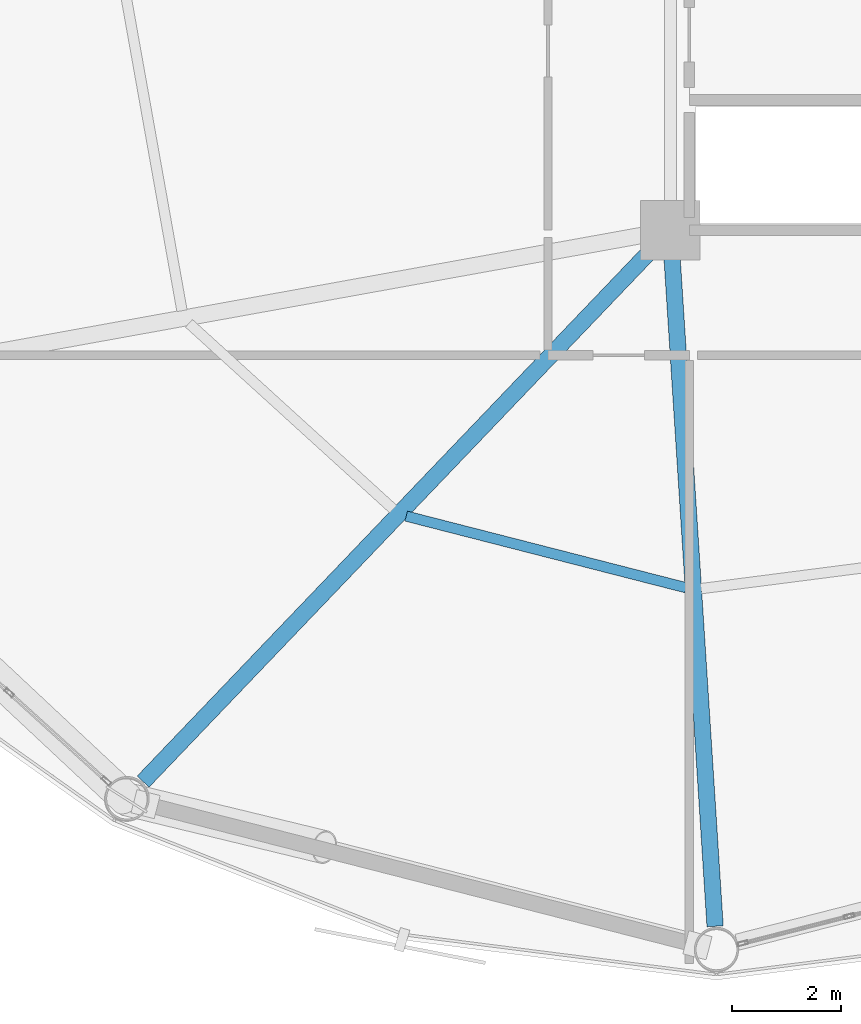
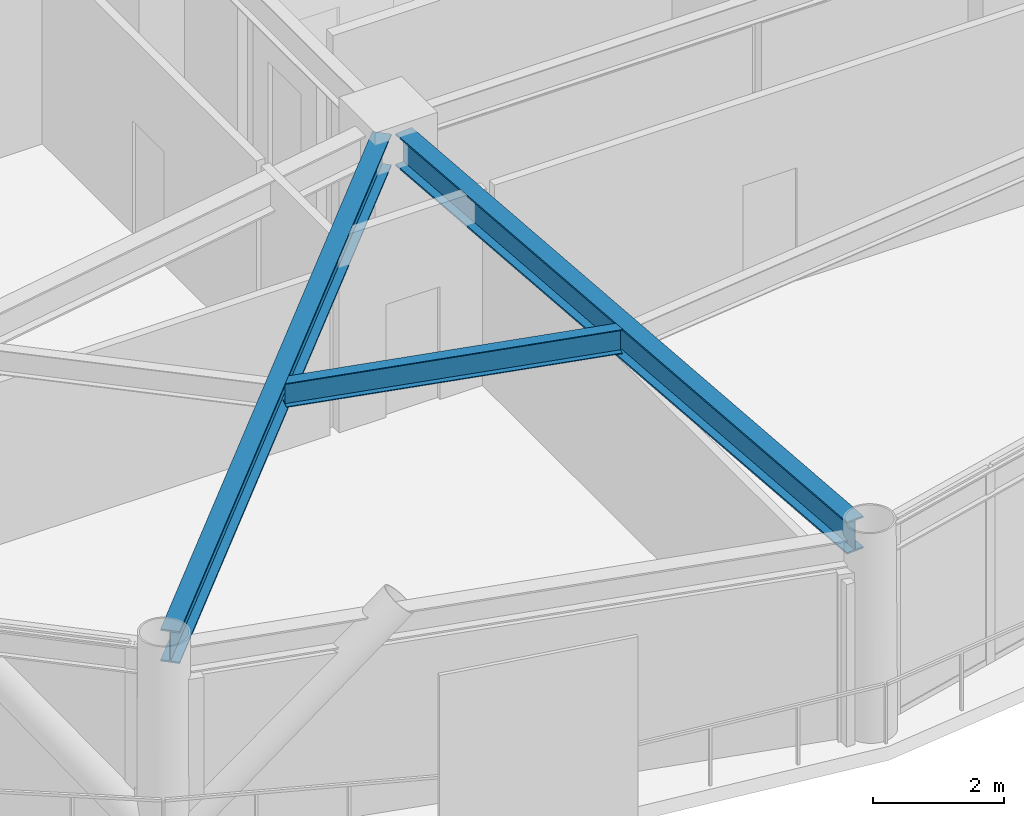
# One storey, part 6 of 26: 3 beams.
"""IFC4 building model written with IfcOpenShell, lengths in metres."""

from ifc_helpers import new_model, si_unit, direction, frame, origin, origin_2d, place, context, subcontext, project, spatial, i_section, extrude, material, material_profile, profile_set, type_object, element, save


model = new_model("IFC4")

# Units and contexts
model_context = context("Model", 3, precision=1e-05, world=origin(), true_north=direction((0.0, 1.0)))
body_context = subcontext(model_context, "Body", "Model", "MODEL_VIEW")
ifc_project = project(units=[si_unit("LENGTHUNIT", "METRE"), si_unit("AREAUNIT", "SQUARE_METRE"), si_unit("VOLUMEUNIT", "CUBIC_METRE"), si_unit("PLANEANGLEUNIT", "RADIAN"), si_unit("MASSUNIT", "GRAM", prefix="KILO")], contexts=[model_context])

# Site, building, storey
site_placement = place(None, origin())
site = spatial("IfcSite", under=ifc_project, at=site_placement, CompositionType="ELEMENT")
building_placement = place(site_placement, origin())
building = spatial("IfcBuilding", under=site, at=building_placement, Name="Varnakorn Sky Granary", CompositionType="ELEMENT")
storey_placement = place(building_placement, frame((0.0, 0.0, 87.60009765625)))
storey = spatial("IfcBuildingStorey", under=building, at=storey_placement, Name="L21", CompositionType="ELEMENT", Elevation=87.60009765625)

# Beams
ifc_material = material(Name="Steel S355JR", Category="steel")
ifc_material_profile_1 = material_profile(ifc_material, i_section(OverallWidth=0.300048828125, OverallDepth=0.60009765625, WebThickness=0.015380859375, FlangeThickness=0.030029296875, at=origin_2d()), Name="HE 600 B")
ifc_profile_set_1 = profile_set([ifc_material_profile_1], Name="Steel S355JR")
beam_type_1 = type_object("IfcBeamType", Name="BM-RAD-Z2", PredefinedType="BEAM", material=ifc_profile_set_1)
beam_1_placement = place(storey_placement, frame((-2.64013671875, -6.903564453125, 3.33984375), z_axis=(-0.691066770153, -0.722790923567, 0.0), x_axis=(0.722790923567, -0.691066770153, 0.0)))
element("IfcBeam", 1, at=beam_1_placement, inside=storey, type_object=beam_type_1, Name="Radial Floor Girder RG09 L21", PredefinedType="BEAM", context=body_context, shape_type="SweptSolid", body=[
    extrude(i_section(OverallWidth=0.300048828125, OverallDepth=0.60009765625, WebThickness=0.015380859375, FlangeThickness=0.030029296875, at=origin_2d()), origin(), (0.0, 0.0, 1.0), 13.621337890625),
])
beam_2_placement = place(storey_placement, frame((-2.322998046875, -7.01904296875, 3.33984375), z_axis=(0.064249647244, -0.997933856941, 0.0), x_axis=(0.997933856941, 0.064249647244, 0.0)))
element("IfcBeam", 2, at=beam_2_placement, inside=storey, type_object=beam_type_1, Name="Radial Floor Girder RG10 L21", PredefinedType="BEAM", context=body_context, shape_type="SweptSolid", body=[
    extrude(i_section(OverallWidth=0.300048828125, OverallDepth=0.60009765625, WebThickness=0.015380859375, FlangeThickness=0.030029296875, at=origin_2d()), origin(), (0.0, 0.0, 1.0), 12.41796875),
])
ifc_material_profile_2 = material_profile(ifc_material, i_section(OverallWidth=0.18994140625, OverallDepth=0.449951171875, WebThickness=0.009521484375, FlangeThickness=0.0146484375, at=origin_2d()), Name="IPE 450")
ifc_profile_set_2 = profile_set([ifc_material_profile_2], Name="Steel S355JR")
beam_type_2 = type_object("IfcBeamType", Name="BM-SEC-Z2", PredefinedType="BEAM", material=ifc_profile_set_2)
beam_3_placement = place(storey_placement, frame((-7.211181640625, -11.861083984375, 3.414794921875), z_axis=(0.968732936564, -0.248105819393, 0.0), x_axis=(0.248105819393, 0.968732936564, 0.0)))
element("IfcBeam", 3, at=beam_3_placement, inside=storey, type_object=beam_type_2, Name="Secondary Floor Chord Beam MSB09 L21", PredefinedType="BEAM", context=body_context, shape_type="SweptSolid", body=[
    extrude(i_section(OverallWidth=0.18994140625, OverallDepth=0.449951171875, WebThickness=0.009521484375, FlangeThickness=0.0146484375, at=origin_2d()), origin(), (0.0, 0.0, 1.0), 5.317626953125),
])

save(model, "model.ifc")
